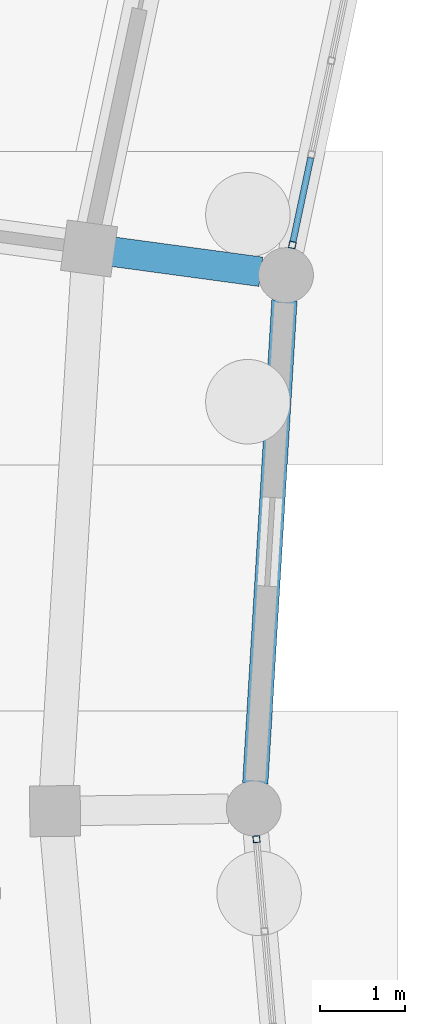
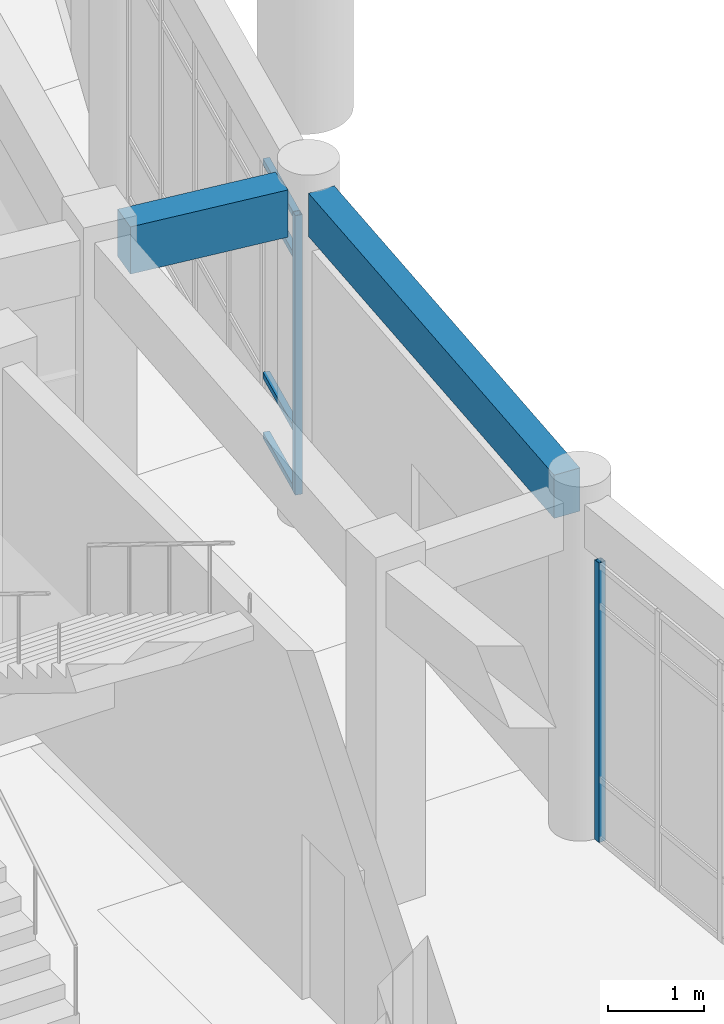
# One storey, part 36 of 153: 6 members, 2 beams, 2 elements without a shape of their own.
"""IFC4 building model written with IfcOpenShell, lengths in metres."""

from ifc_helpers import new_model, si_unit, direction, frame, origin, origin_2d, place, context, subcontext, project, spatial, rectangle, hollow_rectangle, extrude, material, material_profile, profile_set, type_object, element, aggregate, save


model = new_model("IFC4")

# Units and contexts
model_context = context("Model", 3, precision=1e-05, world=origin(), true_north=direction((0.0, 1.0)))
body_context = subcontext(model_context, "Body", "Model", "MODEL_VIEW")
ifc_project = project(units=[si_unit("LENGTHUNIT", "METRE"), si_unit("AREAUNIT", "SQUARE_METRE"), si_unit("VOLUMEUNIT", "CUBIC_METRE"), si_unit("PLANEANGLEUNIT", "RADIAN"), si_unit("MASSUNIT", "GRAM", prefix="KILO")], contexts=[model_context])

# Site, building, storey
site_placement = place(None, origin())
site = spatial("IfcSite", under=ifc_project, at=site_placement, CompositionType="ELEMENT")
building_placement = place(site_placement, origin())
building = spatial("IfcBuilding", under=site, at=building_placement, Name="Celadon Cloister-Ring School", CompositionType="ELEMENT")
storey_placement = place(building_placement, origin())
storey = spatial("IfcBuildingStorey", under=building, at=storey_placement, Name="L00", CompositionType="ELEMENT", Elevation=0.0)

# Beam
ifc_material_1 = material(Name="Concrete C35/45", Category="concrete")
ifc_material_profile_1 = material_profile(ifc_material_1, rectangle(XDim=0.35009765625, YDim=0.60009765625, at=origin_2d()), Name="RC350X600")
ifc_profile_set_1 = profile_set([ifc_material_profile_1], Name="Concrete C35/45")
beam_type_1 = type_object("IfcBeamType", Name="BT-02", PredefinedType="BEAM", material=ifc_profile_set_1)
beam_1_placement = place(storey_placement, frame((42.678955078125, 64.9951171875, 3.97998046875), z_axis=(0.990967747371, -0.134100423829, 0.0), x_axis=(0.134100423829, 0.990967747371, 0.0)))
element("IfcBeam", 1, at=beam_1_placement, inside=storey, type_object=beam_type_1, Name="Beam 0014", PredefinedType="BEAM", context=body_context, shape_type="SweptSolid", body=[
    extrude(rectangle(XDim=0.35009765625, YDim=0.60009765625, at=origin_2d()), origin(), (0.0, 0.0, 1.0), 1.775146484375),
])

# Curtain wall, member
ifc_material_2 = material(Name="Aluminium EN AW-6063 T6", Category="aluminium")
curtain_wall_type = type_object("IfcCurtainWallType", Name="CW-01", PredefinedType="USERDEFINED", material=ifc_material_2)
curtain_wall_1_placement = place(storey_placement, origin())
curtain_wall_1 = element("IfcCurtainWall", 2, at=curtain_wall_1_placement, inside=storey, type_object=curtain_wall_type, Name="Curtain Wall 0003", ObjectType="CURTAIN WALL", PredefinedType="USERDEFINED")
ifc_material_3 = material(Name="Aluminium EN AW-6063 T6", Category="aluminium")
ifc_material_profile_2 = material_profile(ifc_material_3, hollow_rectangle(XDim=0.080078125, YDim=0.080078125, WallThickness=0.00390625, at=origin_2d()), Name="RHS80X80X4")
ifc_profile_set_2 = profile_set([ifc_material_profile_2], Name="Aluminium EN AW-6063 T6")
member_type_1 = type_object("IfcMemberType", Name="CM-03", PredefinedType="MULLION", material=ifc_profile_set_2)
member_1_placement = place(storey_placement, frame((44.810302734375, 65.07421875, 0.0), z_axis=(0.0, 0.0, 1.0), x_axis=(0.978320844999, -0.207094964304, 0.0)))
member_1 = element("IfcMember", 3, at=member_1_placement, type_object=member_type_1, Name="CW-01 mullion 6", PredefinedType="MULLION", context=body_context, shape_type="SweptSolid", body=[
    extrude(hollow_rectangle(XDim=0.080078125, YDim=0.080078125, WallThickness=0.00390625, at=origin_2d()), origin(), (0.0, 0.0, 1.0), 3.550048828125),
])

curtain_wall_2_placement = place(storey_placement, origin())
curtain_wall_2 = element("IfcCurtainWall", 4, at=curtain_wall_2_placement, inside=storey, type_object=curtain_wall_type, Name="Curtain Wall 0004", ObjectType="CURTAIN WALL", PredefinedType="USERDEFINED")
member_2_placement = place(storey_placement, frame((44.386474609375, 58.046142578125, 0.0), z_axis=(0.0, 0.0, 1.0), x_axis=(0.996148002222, 0.087687842199, 0.0)))
member_2 = element("IfcMember", 5, at=member_2_placement, type_object=member_type_1, Name="CW-01 mullion 1", PredefinedType="MULLION", context=body_context, shape_type="SweptSolid", body=[
    extrude(hollow_rectangle(XDim=0.080078125, YDim=0.080078125, WallThickness=0.00390625, at=origin_2d()), origin(), (0.0, 0.0, 1.0), 3.550048828125),
])
aggregate(curtain_wall_2, [member_2])

# Member
ifc_material_4 = material(Name="Aluminium EN AW-6063 T6", Category="aluminium")
ifc_material_profile_3 = material_profile(ifc_material_4, hollow_rectangle(XDim=0.074951171875, YDim=0.074951171875, WallThickness=0.00390625, at=origin_2d()), Name="RHS75X75X4")
ifc_profile_set_3 = profile_set([ifc_material_profile_3], Name="Aluminium EN AW-6063 T6")
member_type_2 = type_object("IfcMemberType", Name="CTM-03", PredefinedType="USERDEFINED", material=ifc_profile_set_3)
member_3_placement = place(storey_placement, frame((45.028564453125, 66.10498046875, 0.03759765625), z_axis=(-0.20712705188, -0.97831405202, 0.0), x_axis=(0.97831405202, -0.20712705188, 0.0)))
member_3 = element("IfcMember", 6, at=member_3_placement, type_object=member_type_2, Name="CW-01 transom 5.1", ObjectType="TRANSOM", PredefinedType="USERDEFINED", context=body_context, shape_type="SweptSolid", body=[
    extrude(hollow_rectangle(XDim=0.074951171875, YDim=0.074951171875, WallThickness=0.00390625, at=origin_2d()), origin(), (0.0, 0.0, 1.0), 1.013671875),
])

member_4_placement = place(storey_placement, frame((45.028564453125, 66.10498046875, 0.800048828125), z_axis=(-0.20712705188, -0.97831405202, 0.0), x_axis=(0.97831405202, -0.20712705188, 0.0)))
member_4 = element("IfcMember", 7, at=member_4_placement, type_object=member_type_2, Name="CW-01 transom 5.2", ObjectType="TRANSOM", PredefinedType="USERDEFINED", context=body_context, shape_type="SweptSolid", body=[
    extrude(hollow_rectangle(XDim=0.074951171875, YDim=0.074951171875, WallThickness=0.00390625, at=origin_2d()), origin(), (0.0, 0.0, 1.0), 1.013671875),
])

member_5_placement = place(storey_placement, frame((45.028564453125, 66.10498046875, 3.0), z_axis=(-0.20712705188, -0.97831405202, 0.0), x_axis=(0.97831405202, -0.20712705188, 0.0)))
member_5 = element("IfcMember", 8, at=member_5_placement, type_object=member_type_2, Name="CW-01 transom 5.3", ObjectType="TRANSOM", PredefinedType="USERDEFINED", context=body_context, shape_type="SweptSolid", body=[
    extrude(hollow_rectangle(XDim=0.074951171875, YDim=0.074951171875, WallThickness=0.00390625, at=origin_2d()), origin(), (0.0, 0.0, 1.0), 1.013671875),
])

member_6_placement = place(storey_placement, frame((45.028564453125, 66.10498046875, 3.512451171875), z_axis=(-0.20712705188, -0.97831405202, 0.0), x_axis=(0.97831405202, -0.20712705188, 0.0)))
member_6 = element("IfcMember", 9, at=member_6_placement, type_object=member_type_2, Name="CW-01 transom 5.4", ObjectType="TRANSOM", PredefinedType="USERDEFINED", context=body_context, shape_type="SweptSolid", body=[
    extrude(hollow_rectangle(XDim=0.074951171875, YDim=0.074951171875, WallThickness=0.00390625, at=origin_2d()), origin(), (0.0, 0.0, 1.0), 1.013671875),
])

aggregate(curtain_wall_1, [member_1, member_3, member_4, member_5, member_6])

# Beam
ifc_material_5 = material(Name="Concrete C35/45", Category="concrete")
ifc_material_profile_4 = material_profile(ifc_material_5, rectangle(XDim=0.300048828125, YDim=0.550048828125, at=origin_2d()), Name="RC300X550")
ifc_profile_set_4 = profile_set([ifc_material_profile_4], Name="Concrete C35/45")
beam_type_2 = type_object("IfcBeamType", Name="SP-02", PredefinedType="SPANDREL", material=ifc_profile_set_4)
beam_2_placement = place(storey_placement, frame((44.717041015625, 64.41796875, 4.0048828125), z_axis=(-0.060315917043, -0.99817933767, 0.0), x_axis=(0.99817933767, -0.060315917043, 0.0)))
element("IfcBeam", 10, at=beam_2_placement, inside=storey, type_object=beam_type_2, Name="Beam 0095", PredefinedType="SPANDREL", context=body_context, shape_type="SweptSolid", body=[
    extrude(rectangle(XDim=0.300048828125, YDim=0.550048828125, at=origin_2d()), origin(), (0.0, 0.0, 1.0), 5.719482421875),
])

save(model, "model.ifc")
